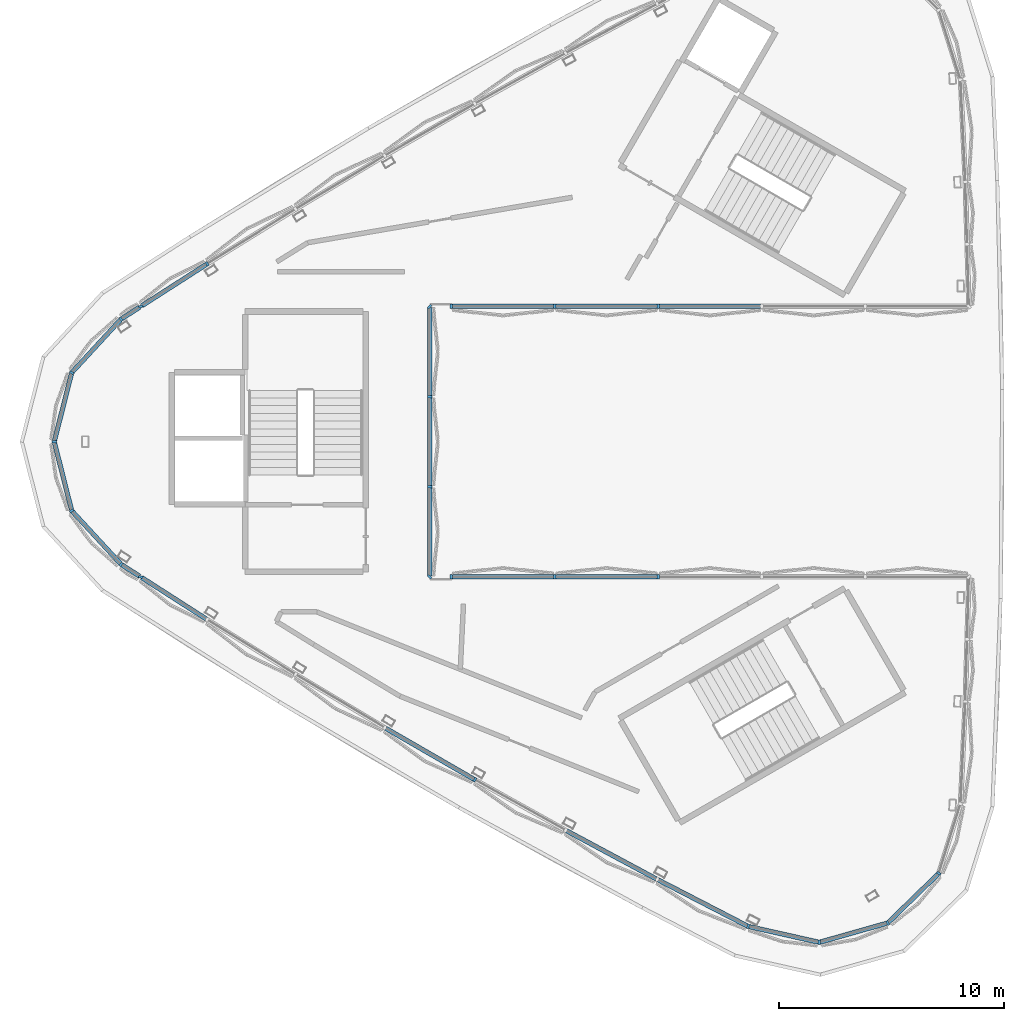
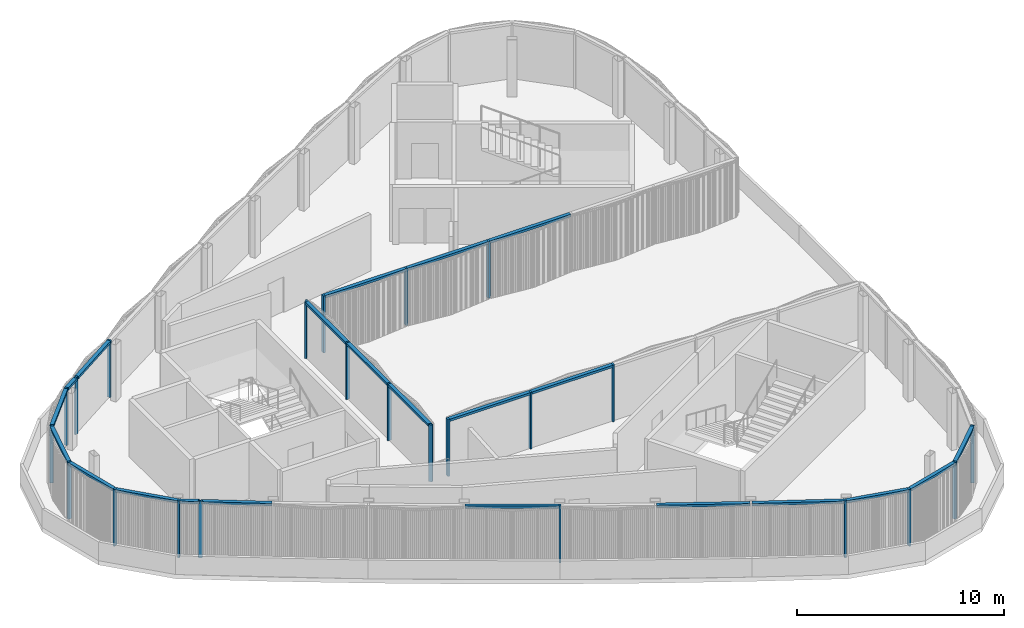
# One storey, part 3 of 16: 40 members, 3 elements without a shape of their own.
"""IFC4 building model written with IfcOpenShell, lengths in metres."""

from ifc_helpers import new_model, si_unit, direction, frame, origin, origin_2d, place, context, subcontext, project, spatial, rectangle, extrude, material, material_profile, profile_set, type_object, element, aggregate, save


model = new_model("IFC4")

# Units and contexts
model_context = context("Model", 3, precision=1e-05, world=origin(), true_north=direction((0.0, 1.0)))
body_context = subcontext(model_context, "Body", "Model", "MODEL_VIEW")
ifc_project = project(units=[si_unit("LENGTHUNIT", "METRE"), si_unit("AREAUNIT", "SQUARE_METRE"), si_unit("VOLUMEUNIT", "CUBIC_METRE"), si_unit("PLANEANGLEUNIT", "RADIAN"), si_unit("MASSUNIT", "GRAM", prefix="KILO")], contexts=[model_context])

# Site, building, storey
site_placement = place(None, origin())
site = spatial("IfcSite", under=ifc_project, at=site_placement, CompositionType="ELEMENT")
building_placement = place(site_placement, origin())
building = spatial("IfcBuilding", under=site, at=building_placement, Name="Tamra Quay Hotel Tower", CompositionType="ELEMENT")
storey_placement = place(building_placement, frame((0.0, 0.0, 320.60009765625)))
storey = spatial("IfcBuildingStorey", under=building, at=storey_placement, Name="Roof crown 1", CompositionType="ELEMENT", Elevation=320.60009765625)

# Curtain wall, members
ifc_material = material(Name="Aluminium 6063 anodised dark grey", Category="aluminium")
curtain_wall_type = type_object("IfcCurtainWallType", Name="CW6 CURTAIN WALL", PredefinedType="NOTDEFINED", material=ifc_material)
curtain_wall_1_placement = place(storey_placement, origin())
curtain_wall_1 = element("IfcCurtainWall", 1, at=curtain_wall_1_placement, inside=storey, type_object=curtain_wall_type, Name="CW6 lantern A face Roof crown 1", PredefinedType="NOTDEFINED")
ifc_material_profile_1 = material_profile(ifc_material, rectangle(XDim=0.199951171875, YDim=0.10009765625, at=origin_2d()), Name="MULLION 100X200")
ifc_profile_set_1 = profile_set([ifc_material_profile_1], Name="Aluminium 6063 anodised dark grey")
member_type_1 = type_object("IfcMemberType", Name="MULLION CW6", PredefinedType="MULLION", material=ifc_profile_set_1)
member_1_placement = place(storey_placement, frame((-17.867919921875, 7.89111328125, 0.0), z_axis=(0.0, 0.0, 1.0), x_axis=(-0.533422330848, 0.845849050926, 0.0)))
member_1 = element("IfcMember", 2, at=member_1_placement, type_object=member_type_1, Name="CW6 mullion Roof crown 1.A.12", PredefinedType="MULLION", context=body_context, shape_type="SweptSolid", body=[
    extrude(rectangle(XDim=0.199951171875, YDim=0.10009765625, at=origin_2d()), origin(), (0.0, 0.0, 1.0), 3.349853515625),
])
member_2_placement = place(storey_placement, frame((-20.815673828125, 6.0, 0.0), z_axis=(0.0, 0.0, 1.0), x_axis=(-0.959600167912, -0.281367229333, 0.0)))
member_2 = element("IfcMember", 3, at=member_2_placement, type_object=member_type_1, Name="CW6 mullion Roof crown 1.A.13", PredefinedType="MULLION", context=body_context, shape_type="SweptSolid", body=[
    extrude(rectangle(XDim=0.199951171875, YDim=0.10009765625, at=origin_2d()), origin(), (0.0, 0.0, 1.0), 3.349853515625),
])
member_3_placement = place(storey_placement, frame((-7.037353515625, 6.0, 0.0), z_axis=(0.0, 0.0, 1.0), x_axis=(0.0, -1.0, 0.0)))
member_3 = element("IfcMember", 4, at=member_3_placement, type_object=member_type_1, Name="CW6 mullion Roof crown 1.A.13", PredefinedType="MULLION", context=body_context, shape_type="SweptSolid", body=[
    extrude(rectangle(XDim=0.199951171875, YDim=0.10009765625, at=origin_2d()), origin(), (0.0, 0.0, 1.0), 3.349853515625),
])
member_4_placement = place(storey_placement, frame((-2.444580078125, 6.0, 0.0), z_axis=(0.0, 0.0, 1.0), x_axis=(0.0, -1.0, 0.0)))
member_4 = element("IfcMember", 5, at=member_4_placement, type_object=member_type_1, Name="CW6 mullion Roof crown 1.A.14", PredefinedType="MULLION", context=body_context, shape_type="SweptSolid", body=[
    extrude(rectangle(XDim=0.199951171875, YDim=0.10009765625, at=origin_2d()), origin(), (0.0, 0.0, 1.0), 3.349853515625),
])
member_5_placement = place(storey_placement, frame((2.148193359375, 6.0, 0.0), z_axis=(0.0, 0.0, 1.0), x_axis=(0.0, -1.0, 0.0)))
member_5 = element("IfcMember", 6, at=member_5_placement, type_object=member_type_1, Name="CW6 mullion Roof crown 1.A.15", PredefinedType="MULLION", context=body_context, shape_type="SweptSolid", body=[
    extrude(rectangle(XDim=0.199951171875, YDim=0.10009765625, at=origin_2d()), origin(), (0.0, 0.0, 1.0), 3.349853515625),
])

curtain_wall_2_placement = place(storey_placement, origin())
curtain_wall_2 = element("IfcCurtainWall", 7, at=curtain_wall_2_placement, inside=storey, type_object=curtain_wall_type, Name="CW6 lantern B face Roof crown 1", PredefinedType="NOTDEFINED")
member_6_placement = place(storey_placement, frame((2.148193359375, -6.0, 0.0), z_axis=(0.0, 0.0, 1.0), x_axis=(0.0, 1.0, 0.0)))
member_6 = element("IfcMember", 8, at=member_6_placement, type_object=member_type_1, Name="CW6 mullion Roof crown 1.B.4", PredefinedType="MULLION", context=body_context, shape_type="SweptSolid", body=[
    extrude(rectangle(XDim=0.199951171875, YDim=0.10009765625, at=origin_2d()), origin(), (0.0, 0.0, 1.0), 3.349853515625),
])
member_7_placement = place(storey_placement, frame((-2.444580078125, -6.0, 0.0), z_axis=(0.0, 0.0, 1.0), x_axis=(0.0, 1.0, 0.0)))
member_7 = element("IfcMember", 9, at=member_7_placement, type_object=member_type_1, Name="CW6 mullion Roof crown 1.B.5", PredefinedType="MULLION", context=body_context, shape_type="SweptSolid", body=[
    extrude(rectangle(XDim=0.199951171875, YDim=0.10009765625, at=origin_2d()), origin(), (0.0, 0.0, 1.0), 3.349853515625),
])
member_8_placement = place(storey_placement, frame((-7.037353515625, -6.0, 0.0), z_axis=(0.0, 0.0, 1.0), x_axis=(0.0, 1.0, 0.0)))
member_8 = element("IfcMember", 10, at=member_8_placement, type_object=member_type_1, Name="CW6 mullion Roof crown 1.B.6", PredefinedType="MULLION", context=body_context, shape_type="SweptSolid", body=[
    extrude(rectangle(XDim=0.199951171875, YDim=0.10009765625, at=origin_2d()), origin(), (0.0, 0.0, 1.0), 3.349853515625),
])
member_9_placement = place(storey_placement, frame((-20.815673828125, -6.0, 0.0), z_axis=(0.0, 0.0, 1.0), x_axis=(-0.959600167912, 0.281367229333, 0.0)))
member_9 = element("IfcMember", 11, at=member_9_placement, type_object=member_type_1, Name="CW6 mullion Roof crown 1.B.6", PredefinedType="MULLION", context=body_context, shape_type="SweptSolid", body=[
    extrude(rectangle(XDim=0.199951171875, YDim=0.10009765625, at=origin_2d()), origin(), (0.0, 0.0, 1.0), 3.349853515625),
])
member_10_placement = place(storey_placement, frame((-5.99462890625, -14.995849609375, 0.0), z_axis=(0.0, 0.0, 1.0), x_axis=(-0.493215722033, -0.869907036148, 0.0)))
member_10 = element("IfcMember", 12, at=member_10_placement, type_object=member_type_1, Name="CW6 mullion Roof crown 1.B.10", PredefinedType="MULLION", context=body_context, shape_type="SweptSolid", body=[
    extrude(rectangle(XDim=0.199951171875, YDim=0.10009765625, at=origin_2d()), origin(), (0.0, 0.0, 1.0), 3.349853515625),
])
member_11_placement = place(storey_placement, frame((6.134033203125, -21.503173828125, 0.0), z_axis=(0.0, 0.0, 1.0), x_axis=(-0.341653426177, -0.939826013888, 0.0)))
member_11 = element("IfcMember", 13, at=member_11_placement, type_object=member_type_1, Name="CW6 mullion Roof crown 1.B.13", PredefinedType="MULLION", context=body_context, shape_type="SweptSolid", body=[
    extrude(rectangle(XDim=0.199951171875, YDim=0.10009765625, at=origin_2d()), origin(), (0.0, 0.0, 1.0), 3.349853515625),
])
member_12_placement = place(storey_placement, frame((9.288330078125, -22.21044921875, 0.0), z_axis=(0.0, 0.0, 1.0), x_axis=(0.027468865497, -0.999622659521, 0.0)))
member_12 = element("IfcMember", 14, at=member_12_placement, type_object=member_type_1, Name="CW6 mullion Roof crown 1.B.14", PredefinedType="MULLION", context=body_context, shape_type="SweptSolid", body=[
    extrude(rectangle(XDim=0.199951171875, YDim=0.10009765625, at=origin_2d()), origin(), (0.0, 0.0, 1.0), 3.349853515625),
])
member_13_placement = place(storey_placement, frame((12.3271484375, -21.351318359375, 0.0), z_axis=(0.0, 0.0, 1.0), x_axis=(0.5, -0.866025403784, 0.0)))
member_13 = element("IfcMember", 15, at=member_13_placement, type_object=member_type_1, Name="CW6 mullion Roof crown 1.B.15", PredefinedType="MULLION", context=body_context, shape_type="SweptSolid", body=[
    extrude(rectangle(XDim=0.199951171875, YDim=0.10009765625, at=origin_2d()), origin(), (0.0, 0.0, 1.0), 3.349853515625),
])
member_14_placement = place(storey_placement, frame((14.5908203125, -19.149169921875, 0.0), z_axis=(0.0, 0.0, 1.0), x_axis=(0.851964184595, -0.523600065094, 0.0)))
member_14 = element("IfcMember", 16, at=member_14_placement, type_object=member_type_1, Name="CW6 mullion Roof crown 1.B.16", PredefinedType="MULLION", context=body_context, shape_type="SweptSolid", body=[
    extrude(rectangle(XDim=0.199951171875, YDim=0.10009765625, at=origin_2d()), origin(), (0.0, 0.0, 1.0), 3.349853515625),
])

curtain_wall_3_placement = place(storey_placement, origin())
curtain_wall_3 = element("IfcCurtainWall", 17, at=curtain_wall_3_placement, inside=storey, type_object=curtain_wall_type, Name="CW6 lantern C face Roof crown 1", PredefinedType="NOTDEFINED")
member_15_placement = place(storey_placement, frame((-21.689208984375, -5.439453125, 0.0), z_axis=(0.0, 0.0, 1.0), x_axis=(-0.643086490076, -0.765793553304, 0.0)))
member_15 = element("IfcMember", 18, at=member_15_placement, type_object=member_type_1, Name="CW6 mullion Roof crown 1.C.1", PredefinedType="MULLION", context=body_context, shape_type="SweptSolid", body=[
    extrude(rectangle(XDim=0.199951171875, YDim=0.10009765625, at=origin_2d()), origin(), (0.0, 0.0, 1.0), 3.349853515625),
])
member_16_placement = place(storey_placement, frame((-8.0, -6.0, 0.0), z_axis=(0.0, 0.0, 1.0), x_axis=(0.707106781187, -0.707106781187, 0.0)))
member_16 = element("IfcMember", 19, at=member_16_placement, type_object=member_type_1, Name="CW6 mullion Roof crown 1.C.2", PredefinedType="MULLION", context=body_context, shape_type="SweptSolid", body=[
    extrude(rectangle(XDim=0.199951171875, YDim=0.10009765625, at=origin_2d()), origin(), (0.0, 0.0, 1.0), 3.349853515625),
])
member_17_placement = place(storey_placement, frame((-8.0, -2.0, 0.0), z_axis=(0.0, 0.0, 1.0), x_axis=(1.0, 0.0, 0.0)))
member_17 = element("IfcMember", 20, at=member_17_placement, type_object=member_type_1, Name="CW6 mullion Roof crown 1.C.3", PredefinedType="MULLION", context=body_context, shape_type="SweptSolid", body=[
    extrude(rectangle(XDim=0.199951171875, YDim=0.10009765625, at=origin_2d()), origin(), (0.0, 0.0, 1.0), 3.349853515625),
])
member_18_placement = place(storey_placement, frame((-8.0, 2.0, 0.0), z_axis=(0.0, 0.0, 1.0), x_axis=(1.0, 0.0, 0.0)))
member_18 = element("IfcMember", 21, at=member_18_placement, type_object=member_type_1, Name="CW6 mullion Roof crown 1.C.4", PredefinedType="MULLION", context=body_context, shape_type="SweptSolid", body=[
    extrude(rectangle(XDim=0.199951171875, YDim=0.10009765625, at=origin_2d()), origin(), (0.0, 0.0, 1.0), 3.349853515625),
])
member_19_placement = place(storey_placement, frame((-8.0, 6.0, 0.0), z_axis=(0.0, 0.0, 1.0), x_axis=(0.707106781187, 0.707106781187, 0.0)))
member_19 = element("IfcMember", 22, at=member_19_placement, type_object=member_type_1, Name="CW6 mullion Roof crown 1.C.5", PredefinedType="MULLION", context=body_context, shape_type="SweptSolid", body=[
    extrude(rectangle(XDim=0.199951171875, YDim=0.10009765625, at=origin_2d()), origin(), (0.0, 0.0, 1.0), 3.349853515625),
])
member_20_placement = place(storey_placement, frame((-21.689208984375, 5.439453125, 0.0), z_axis=(0.0, 0.0, 1.0), x_axis=(-0.643086490076, 0.765793553304, 0.0)))
member_20 = element("IfcMember", 23, at=member_20_placement, type_object=member_type_1, Name="CW6 mullion Roof crown 1.C.6", PredefinedType="MULLION", context=body_context, shape_type="SweptSolid", body=[
    extrude(rectangle(XDim=0.199951171875, YDim=0.10009765625, at=origin_2d()), origin(), (0.0, 0.0, 1.0), 3.349853515625),
])
member_21_placement = place(storey_placement, frame((-23.879150390625, 3.061279296875, 0.0), z_axis=(0.0, 0.0, 1.0), x_axis=(-0.879433050093, 0.476022594427, 0.0)))
member_21 = element("IfcMember", 24, at=member_21_placement, type_object=member_type_1, Name="CW6 mullion Roof crown 1.C.7", PredefinedType="MULLION", context=body_context, shape_type="SweptSolid", body=[
    extrude(rectangle(XDim=0.199951171875, YDim=0.10009765625, at=origin_2d()), origin(), (0.0, 0.0, 1.0), 3.349853515625),
])
member_22_placement = place(storey_placement, frame((-24.654541015625, 0.0, 0.0), z_axis=(0.0, 0.0, 1.0), x_axis=(-1.0, 0.0, 0.0)))
member_22 = element("IfcMember", 25, at=member_22_placement, type_object=member_type_1, Name="CW6 mullion Roof crown 1.C.8", PredefinedType="MULLION", context=body_context, shape_type="SweptSolid", body=[
    extrude(rectangle(XDim=0.199951171875, YDim=0.10009765625, at=origin_2d()), origin(), (0.0, 0.0, 1.0), 3.349853515625),
])
member_23_placement = place(storey_placement, frame((-23.879150390625, -3.061279296875, 0.0), z_axis=(0.0, 0.0, 1.0), x_axis=(-0.879433050093, -0.476022594427, 0.0)))
member_23 = element("IfcMember", 26, at=member_23_placement, type_object=member_type_1, Name="CW6 mullion Roof crown 1.C.9", PredefinedType="MULLION", context=body_context, shape_type="SweptSolid", body=[
    extrude(rectangle(XDim=0.199951171875, YDim=0.10009765625, at=origin_2d()), origin(), (0.0, 0.0, 1.0), 3.349853515625),
])

# Member
ifc_material_profile_2 = material_profile(ifc_material, rectangle(XDim=0.199951171875, YDim=0.139892578125, at=origin_2d()), Name="TRANSOM 200X140")
ifc_profile_set_2 = profile_set([ifc_material_profile_2], Name="Aluminium 6063 anodised dark grey")
member_type_2 = type_object("IfcMemberType", Name="TRANSOM CW6", PredefinedType="USERDEFINED", material=ifc_profile_set_2)
member_24_placement = place(storey_placement, frame((-17.909912109375, 7.8642578125, 3.27978515625), z_axis=(-0.841670083092, -0.53999210293, 0.0), x_axis=(0.53999210293, -0.841670083092, 0.0)))
member_24 = element("IfcMember", 27, at=member_24_placement, type_object=member_type_2, Name="CW6 transom Roof crown 1.A.12", ObjectType="TRANSOM", PredefinedType="USERDEFINED", context=body_context, shape_type="SweptSolid", body=[
    extrude(rectangle(XDim=0.199951171875, YDim=0.139892578125, at=origin_2d()), origin(), (0.0, 0.0, 1.0), 3.402099609375),
])

member_25_placement = place(storey_placement, frame((-6.9873046875, 6.0, 3.27978515625), z_axis=(1.0, 0.0, 0.0), x_axis=(0.0, 1.0, 0.0)))
member_25 = element("IfcMember", 28, at=member_25_placement, type_object=member_type_2, Name="CW6 transom Roof crown 1.A.13", ObjectType="TRANSOM", PredefinedType="USERDEFINED", context=body_context, shape_type="SweptSolid", body=[
    extrude(rectangle(XDim=0.199951171875, YDim=0.139892578125, at=origin_2d()), origin(), (0.0, 0.0, 1.0), 13.67822265625),
])

aggregate(curtain_wall_1, [member_1, member_24, member_2, member_3, member_25, member_4, member_5])

member_26_placement = place(storey_placement, frame((2.09814453125, -6.0, 3.27978515625), z_axis=(-1.0, 0.0, 0.0), x_axis=(0.0, -1.0, 0.0)))
member_26 = element("IfcMember", 29, at=member_26_placement, type_object=member_type_2, Name="CW6 transom Roof crown 1.B.4", ObjectType="TRANSOM", PredefinedType="USERDEFINED", context=body_context, shape_type="SweptSolid", body=[
    extrude(rectangle(XDim=0.199951171875, YDim=0.139892578125, at=origin_2d()), origin(), (0.0, 0.0, 1.0), 9.08544921875),
])

member_27_placement = place(storey_placement, frame((-20.7734375, -6.027099609375, 3.27978515625), z_axis=(0.841670083092, -0.53999210293, 0.0), x_axis=(0.53999210293, 0.841670083092, 0.0)))
member_27 = element("IfcMember", 30, at=member_27_placement, type_object=member_type_2, Name="CW6 transom Roof crown 1.B.6", ObjectType="TRANSOM", PredefinedType="USERDEFINED", context=body_context, shape_type="SweptSolid", body=[
    extrude(rectangle(XDim=0.199951171875, YDim=0.139892578125, at=origin_2d()), origin(), (0.0, 0.0, 1.0), 3.402099609375),
])

member_28_placement = place(storey_placement, frame((-9.946044921875, -12.71435546875, 3.27978515625), z_axis=(0.86601710485, -0.5000143739, 0.0), x_axis=(0.5000143739, 0.86601710485, 0.0)))
member_28 = element("IfcMember", 31, at=member_28_placement, type_object=member_type_2, Name="CW6 transom Roof crown 1.B.9", ObjectType="TRANSOM", PredefinedType="USERDEFINED", context=body_context, shape_type="SweptSolid", body=[
    extrude(rectangle(XDim=0.199951171875, YDim=0.139892578125, at=origin_2d()), origin(), (0.0, 0.0, 1.0), 4.512451171875),
])

member_29_placement = place(storey_placement, frame((-1.92041015625, -17.262939453125, 3.27978515625), z_axis=(0.881213593075, -0.47271831293, 0.0), x_axis=(0.47271831293, 0.881213593075, 0.0)))
member_29 = element("IfcMember", 32, at=member_29_placement, type_object=member_type_2, Name="CW6 transom Roof crown 1.B.11", ObjectType="TRANSOM", PredefinedType="USERDEFINED", context=body_context, shape_type="SweptSolid", body=[
    extrude(rectangle(XDim=0.199951171875, YDim=0.139892578125, at=origin_2d()), origin(), (0.0, 0.0, 1.0), 4.51220703125),
])

member_30_placement = place(storey_placement, frame((2.14453125, -19.442626953125, 3.27978515625), z_axis=(0.888489056093, -0.458897806928, 0.0), x_axis=(0.458897806928, 0.888489056093, 0.0)))
member_30 = element("IfcMember", 33, at=member_30_placement, type_object=member_type_2, Name="CW6 transom Roof crown 1.B.12", ObjectType="TRANSOM", PredefinedType="USERDEFINED", context=body_context, shape_type="SweptSolid", body=[
    extrude(rectangle(XDim=0.199951171875, YDim=0.139892578125, at=origin_2d()), origin(), (0.0, 0.0, 1.0), 4.440185546875),
])

member_31_placement = place(storey_placement, frame((6.182861328125, -21.51416015625, 3.27978515625), z_axis=(0.97575974355, -0.218844517563, 0.0), x_axis=(0.218844517563, 0.97575974355, 0.0)))
member_31 = element("IfcMember", 34, at=member_31_placement, type_object=member_type_2, Name="CW6 transom Roof crown 1.B.13", ObjectType="TRANSOM", PredefinedType="USERDEFINED", context=body_context, shape_type="SweptSolid", body=[
    extrude(rectangle(XDim=0.199951171875, YDim=0.139892578125, at=origin_2d()), origin(), (0.0, 0.0, 1.0), 3.132568359375),
])

member_32_placement = place(storey_placement, frame((9.33642578125, -22.197021484375, 3.27978515625), z_axis=(0.962273511824, 0.272083973143, 0.0), x_axis=(-0.272083973143, 0.962273511824, 0.0)))
member_32 = element("IfcMember", 35, at=member_32_placement, type_object=member_type_2, Name="CW6 transom Roof crown 1.B.14", ObjectType="TRANSOM", PredefinedType="USERDEFINED", context=body_context, shape_type="SweptSolid", body=[
    extrude(rectangle(XDim=0.199951171875, YDim=0.139892578125, at=origin_2d()), origin(), (0.0, 0.0, 1.0), 3.05810546875),
])

member_33_placement = place(storey_placement, frame((12.363037109375, -21.31640625, 3.27978515625), z_axis=(0.716779852689, 0.697299535909, 0.0), x_axis=(-0.697299535909, 0.716779852689, 0.0)))
member_33 = element("IfcMember", 36, at=member_33_placement, type_object=member_type_2, Name="CW6 transom Roof crown 1.B.15", ObjectType="TRANSOM", PredefinedType="USERDEFINED", context=body_context, shape_type="SweptSolid", body=[
    extrude(rectangle(XDim=0.199951171875, YDim=0.139892578125, at=origin_2d()), origin(), (0.0, 0.0, 1.0), 3.057861328125),
])

aggregate(curtain_wall_2, [member_6, member_26, member_7, member_8, member_9, member_27, member_28, member_10, member_29, member_30, member_11, member_31, member_12, member_32, member_13, member_33, member_14])

member_34_placement = place(storey_placement, frame((-21.647216796875, -5.46630859375, 3.27978515625), z_axis=(0.841651678123, -0.540020789148, 0.0), x_axis=(0.540020789148, 0.841651678123, 0.0)))
member_34 = element("IfcMember", 37, at=member_34_placement, type_object=member_type_2, Name="CW6 transom Roof crown 1.C.1", ObjectType="TRANSOM", PredefinedType="USERDEFINED", context=body_context, shape_type="SweptSolid", body=[
    extrude(rectangle(XDim=0.199951171875, YDim=0.139892578125, at=origin_2d()), origin(), (0.0, 0.0, 1.0), 0.93798828125),
])

member_35_placement = place(storey_placement, frame((-8.0, -5.949951171875, 3.27978515625), z_axis=(0.0, 1.0, 0.0), x_axis=(-1.0, 0.0, 0.0)))
member_35 = element("IfcMember", 38, at=member_35_placement, type_object=member_type_2, Name="CW6 transom Roof crown 1.C.2", ObjectType="TRANSOM", PredefinedType="USERDEFINED", context=body_context, shape_type="SweptSolid", body=[
    extrude(rectangle(XDim=0.199951171875, YDim=0.139892578125, at=origin_2d()), origin(), (0.0, 0.0, 1.0), 11.89990234375),
])

member_36_placement = place(storey_placement, frame((-20.857666015625, 5.972900390625, 3.27978515625), z_axis=(-0.841651678123, -0.540020789148, 0.0), x_axis=(0.540020789148, -0.841651678123, 0.0)))
member_36 = element("IfcMember", 39, at=member_36_placement, type_object=member_type_2, Name="CW6 transom Roof crown 1.C.5", ObjectType="TRANSOM", PredefinedType="USERDEFINED", context=body_context, shape_type="SweptSolid", body=[
    extrude(rectangle(XDim=0.199951171875, YDim=0.139892578125, at=origin_2d()), origin(), (0.0, 0.0, 1.0), 0.93798828125),
])

member_37_placement = place(storey_placement, frame((-21.72314453125, 5.402587890625, 3.27978515625), z_axis=(-0.677399189822, -0.735615618124, 0.0), x_axis=(0.735615618124, -0.677399189822, 0.0)))
member_37 = element("IfcMember", 40, at=member_37_placement, type_object=member_type_2, Name="CW6 transom Roof crown 1.C.6", ObjectType="TRANSOM", PredefinedType="USERDEFINED", context=body_context, shape_type="SweptSolid", body=[
    extrude(rectangle(XDim=0.199951171875, YDim=0.139892578125, at=origin_2d()), origin(), (0.0, 0.0, 1.0), 3.132568359375),
])

member_38_placement = place(storey_placement, frame((-23.891357421875, 3.012939453125, 3.27978515625), z_axis=(-0.245502593991, -0.969395933736, 0.0), x_axis=(0.969395933736, -0.245502593991, 0.0)))
member_38 = element("IfcMember", 41, at=member_38_placement, type_object=member_type_2, Name="CW6 transom Roof crown 1.C.7", ObjectType="TRANSOM", PredefinedType="USERDEFINED", context=body_context, shape_type="SweptSolid", body=[
    extrude(rectangle(XDim=0.199951171875, YDim=0.139892578125, at=origin_2d()), origin(), (0.0, 0.0, 1.0), 3.057861328125),
])

member_39_placement = place(storey_placement, frame((-24.64208984375, -0.048583984375, 3.27978515625), z_axis=(0.245502593991, -0.969395933736, 0.0), x_axis=(0.969395933736, 0.245502593991, 0.0)))
member_39 = element("IfcMember", 42, at=member_39_placement, type_object=member_type_2, Name="CW6 transom Roof crown 1.C.8", ObjectType="TRANSOM", PredefinedType="USERDEFINED", context=body_context, shape_type="SweptSolid", body=[
    extrude(rectangle(XDim=0.199951171875, YDim=0.139892578125, at=origin_2d()), origin(), (0.0, 0.0, 1.0), 3.057861328125),
])

member_40_placement = place(storey_placement, frame((-23.84521484375, -3.09814453125, 3.27978515625), z_axis=(0.677399189822, -0.735615618124, 0.0), x_axis=(0.735615618124, 0.677399189822, 0.0)))
member_40 = element("IfcMember", 43, at=member_40_placement, type_object=member_type_2, Name="CW6 transom Roof crown 1.C.9", ObjectType="TRANSOM", PredefinedType="USERDEFINED", context=body_context, shape_type="SweptSolid", body=[
    extrude(rectangle(XDim=0.199951171875, YDim=0.139892578125, at=origin_2d()), origin(), (0.0, 0.0, 1.0), 3.132568359375),
])

aggregate(curtain_wall_3, [member_15, member_34, member_16, member_35, member_17, member_18, member_19, member_36, member_20, member_37, member_21, member_38, member_22, member_39, member_23, member_40])

save(model, "model.ifc")
